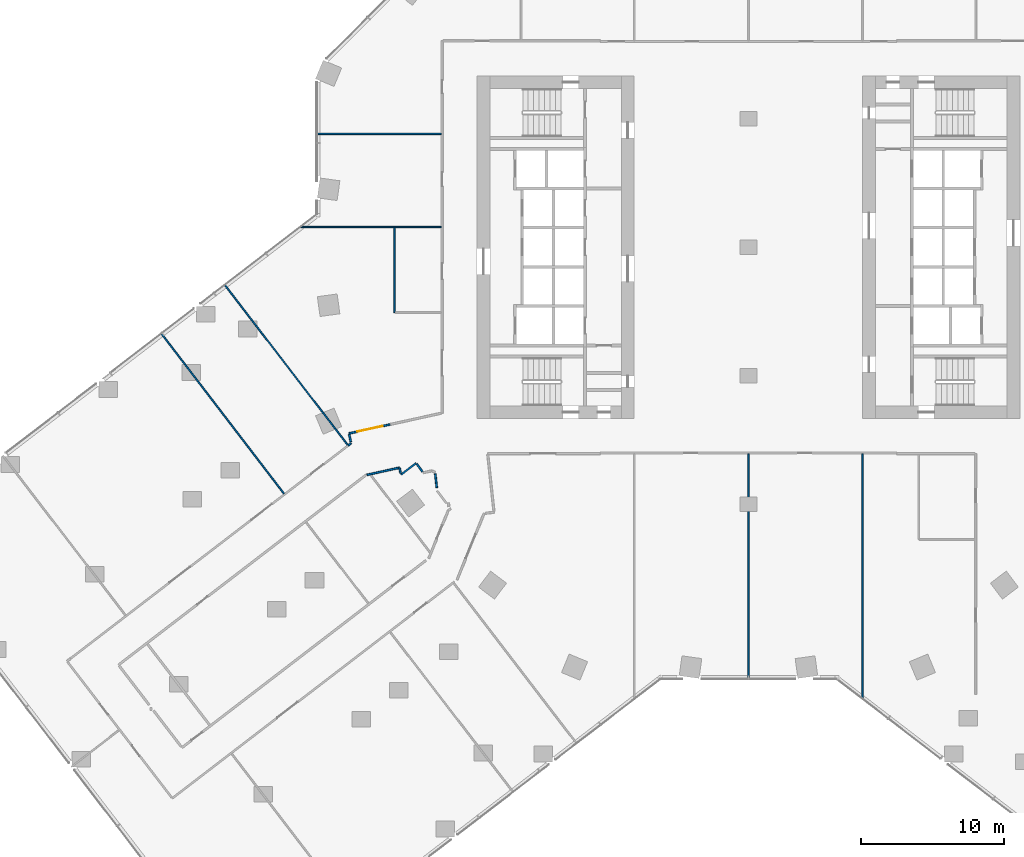
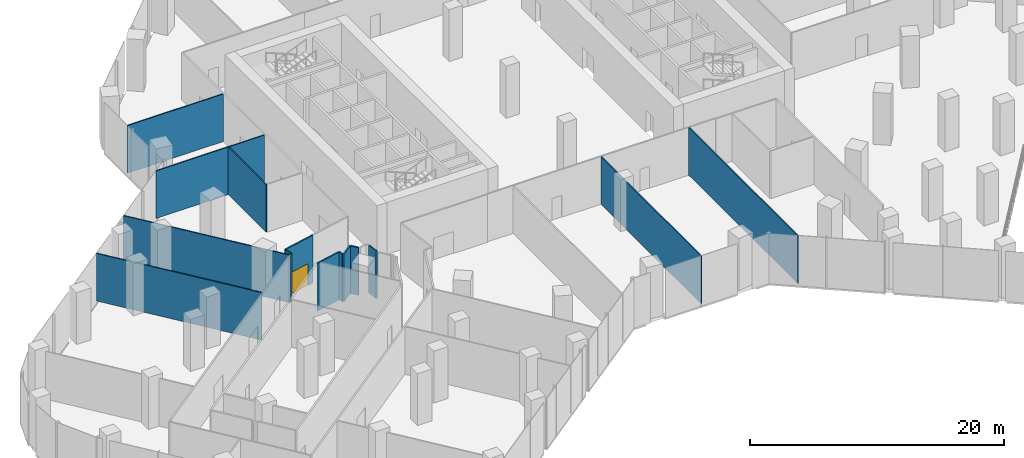
# One storey, part 22 of 29: 15 walls, 1 door, 1 opening.
"""IFC4 building model written with IfcOpenShell, lengths in metres."""

from ifc_helpers import new_model, si_unit, direction, frame, frame_2d, origin, place, context, subcontext, project, spatial, rectangle, extrude, material, layer, layer_set, type_object, element, fill, save


model = new_model("IFC4")

# Units and contexts
model_context = context("Model", 3, precision=1e-05, world=origin(), true_north=direction((0.0, 1.0)))
body_context = subcontext(model_context, "Body", "Model", "MODEL_VIEW")
ifc_project = project(units=[si_unit("LENGTHUNIT", "METRE"), si_unit("AREAUNIT", "SQUARE_METRE"), si_unit("VOLUMEUNIT", "CUBIC_METRE"), si_unit("PLANEANGLEUNIT", "RADIAN"), si_unit("MASSUNIT", "GRAM", prefix="KILO")], contexts=[model_context])

# Site, building, storey
site_placement = place(None, origin())
site = spatial("IfcSite", under=ifc_project, at=site_placement, CompositionType="ELEMENT")
building_placement = place(site_placement, origin())
building = spatial("IfcBuilding", under=site, at=building_placement, Name="Orlundy Tower", CompositionType="ELEMENT")
storey_placement = place(building_placement, frame((0.0, 0.0, 15.5)))
storey = spatial("IfcBuildingStorey", under=building, at=storey_placement, Name="L02", CompositionType="ELEMENT", Elevation=15.5)

# Walls
ifc_material_1 = material(Name="Gypsum board partition")
ifc_layer_1 = layer(ifc_material_1, 0.10009765625)
ifc_layer_set_1 = layer_set([ifc_layer_1], Name="Floor partition 100")
wall_type_1 = type_object("IfcWallType", Name="Floor partition 100", PredefinedType="PARTITIONING", material=ifc_layer_set_1)
wall_1_placement = place(storey_placement, frame((-41.1259765625, -6.032958984375, 0.0), z_axis=(0.0, 0.0, 1.0), x_axis=(0.608775561638, -0.793342495743, 0.0)))
element("IfcWall", 1, at=wall_1_placement, inside=storey, type_object=wall_type_1, Name="wall-int-L02-014", PredefinedType="PARTITIONING", context=body_context, shape_type="SweptSolid", body=[
    extrude(rectangle(XDim=14.136474609375, YDim=0.10009765625, at=frame_2d((7.068359375, 0.0))), origin(), (0.0, 0.0, 1.0), 4.580078125),
])
wall_2_placement = place(storey_placement, frame((-36.677978515625, -2.6201171875, 0.0), z_axis=(0.0, 0.0, 1.0), x_axis=(0.608783902678, -0.793336095132, 0.0)))
element("IfcWall", 2, at=wall_2_placement, inside=storey, type_object=wall_type_1, Name="wall-int-L02-017", PredefinedType="PARTITIONING", context=body_context, shape_type="SweptSolid", body=[
    extrude(rectangle(XDim=14.13623046875, YDim=0.10009765625, at=frame_2d((7.068115234375, 0.0))), origin(), (0.0, 0.0, 1.0), 4.580078125),
])
wall_3_placement = place(storey_placement, frame((-31.4140625, 1.419921875, 0.0), z_axis=(0.0, 0.0, 1.0), x_axis=(1.0, 0.0, 0.0)))
element("IfcWall", 3, at=wall_3_placement, inside=storey, type_object=wall_type_1, Name="wall-int-L02-028", PredefinedType="PARTITIONING", context=body_context, shape_type="SweptSolid", body=[
    extrude(rectangle(XDim=9.902099609375, YDim=0.10009765625, at=frame_2d((4.951171875, 0.0))), origin(), (0.0, 0.0, 1.0), 4.580078125),
])
wall_4_placement = place(storey_placement, frame((-30.25, 7.93408203125, 0.0), z_axis=(0.0, 0.0, 1.0), x_axis=(1.0, 0.0, 0.0)))
element("IfcWall", 4, at=wall_4_placement, inside=storey, type_object=wall_type_1, Name="wall-int-L02-030", PredefinedType="PARTITIONING", context=body_context, shape_type="SweptSolid", body=[
    extrude(rectangle(XDim=8.738037109375, YDim=0.10009765625, at=frame_2d((4.369140625, 0.0))), origin(), (0.0, 0.0, 1.0), 4.580078125),
])
wall_5_placement = place(storey_placement, frame((8.0, -31.6630859375, 0.0), z_axis=(0.0, 0.0, 1.0), x_axis=(0.0, 1.0, 0.0)))
element("IfcWall", 5, at=wall_5_placement, inside=storey, type_object=wall_type_1, Name="wall-int-L02-054", PredefinedType="PARTITIONING", context=body_context, shape_type="SweptSolid", body=[
    extrude(rectangle(XDim=17.2001953125, YDim=0.10009765625, at=frame_2d((8.60009765625, 0.0))), origin(), (0.0, 0.0, 1.0), 4.580078125),
])
wall_6_placement = place(storey_placement, frame((0.0, -30.25, 0.0), z_axis=(0.0, 0.0, 1.0), x_axis=(0.0, 1.0, 0.0)))
element("IfcWall", 6, at=wall_6_placement, inside=storey, type_object=wall_type_1, Name="wall-int-L02-056", PredefinedType="PARTITIONING", context=body_context, shape_type="SweptSolid", body=[
    extrude(rectangle(XDim=15.787109375, YDim=0.10009765625, at=frame_2d((7.8935546875, 0.0))), origin(), (0.0, 0.0, 1.0), 4.580078125),
])
wall_7_placement = place(storey_placement, frame((-24.781982421875, -4.5791015625, 0.0), z_axis=(0.0, 0.0, 1.0), x_axis=(0.0, 1.0, 0.0)))
element("IfcWall", 7, at=wall_7_placement, inside=storey, type_object=wall_type_1, Name="wall-int-L02-062", PredefinedType="PARTITIONING", context=body_context, shape_type="SweptSolid", body=[
    extrude(rectangle(XDim=5.94921875, YDim=0.10009765625, at=frame_2d((2.974609375, 0.0))), origin(), (0.0, 0.0, 1.0), 4.580078125),
])
ifc_material_2 = material(Name="Gypsum board partition, double layer")
ifc_layer_2 = layer(ifc_material_2, 0.125)
ifc_layer_set_2 = layer_set([ifc_layer_2], Name="Floor partition 125")
wall_type_2 = type_object("IfcWallType", Name="Floor partition 125", PredefinedType="PARTITIONING", material=ifc_layer_set_2)
wall_8_placement = place(storey_placement, frame((-21.930908203125, -15.864013671875, 0.0), z_axis=(0.0, 0.0, 1.0), x_axis=(0.10837572028, -0.99411000561, 0.0)))
element("IfcWall", 8, at=wall_8_placement, inside=storey, type_object=wall_type_2, Name="wall-int-L02-002", PredefinedType="PARTITIONING", context=body_context, shape_type="SweptSolid", body=[
    extrude(rectangle(XDim=0.977783203125, YDim=0.125, at=frame_2d((0.48876953125, 0.0))), origin(), (0.0, 0.0, 1.0), 4.580078125),
])
wall_9_placement = place(storey_placement, frame((-24.43798828125, -15.43701171875, 0.0), z_axis=(0.0, 0.0, 1.0), x_axis=(0.212096867325, -0.977248647413, 0.0)))
element("IfcWall", 9, at=wall_9_placement, inside=storey, type_object=wall_type_2, Name="wall-int-L02-004", PredefinedType="PARTITIONING", context=body_context, shape_type="SweptSolid", body=[
    extrude(rectangle(XDim=0.39599609375, YDim=0.125, at=frame_2d((0.197998046875, 0.0))), origin(), (0.0, 0.0, 1.0), 4.580078125),
])
wall_10_placement = place(storey_placement, frame((-27.958984375, -13.10009765625, 0.0), z_axis=(0.0, 0.0, 1.0), x_axis=(0.215346078447, -0.976537795734, 0.0)))
element("IfcWall", 10, at=wall_10_placement, inside=storey, type_object=wall_type_2, Name="wall-int-L02-005", PredefinedType="PARTITIONING", context=body_context, shape_type="SweptSolid", body=[
    extrude(rectangle(XDim=0.53857421875, YDim=0.125, at=frame_2d((0.269287109375, 0.0))), origin(), (0.0, 0.0, 1.0), 4.580078125),
])
wall_11_placement = place(storey_placement, frame((-23.23388671875, -15.16796875, 0.0), z_axis=(0.0, 0.0, 1.0), x_axis=(0.602990949897, -0.797748026849, 0.0)))
element("IfcWall", 11, at=wall_11_placement, inside=storey, type_object=wall_type_2, Name="wall-int-L02-006", PredefinedType="PARTITIONING", context=body_context, shape_type="SweptSolid", body=[
    extrude(rectangle(XDim=0.67822265625, YDim=0.125, at=frame_2d((0.339111328125, 0.0))), origin(), (0.0, 0.0, 1.0), 4.580078125),
])
wall_12_placement = place(storey_placement, frame((-26.7119140625, -15.93603515625, 0.0), z_axis=(0.0, 0.0, 1.0), x_axis=(0.976756126143, 0.214353609817, 0.0)))
element("IfcWall", 12, at=wall_12_placement, inside=storey, type_object=wall_type_2, Name="wall-int-L02-035", PredefinedType="PARTITIONING", context=body_context, shape_type="SweptSolid", body=[
    extrude(rectangle(XDim=2.328125, YDim=0.125, at=frame_2d((1.1640625, 0.0))), origin(), (0.0, 0.0, 1.0), 4.580078125),
])

# Wall, opening, door
wall_13_placement = place(storey_placement, frame((-27.971923828125, -13.0380859375, 0.0), z_axis=(0.0, 0.0, 1.0), x_axis=(0.976718013582, 0.214527205604, 0.0)))
wall_13 = element("IfcWall", 13, at=wall_13_placement, inside=storey, type_object=wall_type_2, Name="wall-int-L02-038", PredefinedType="PARTITIONING", context=body_context, shape_type="SweptSolid", body=[
    extrude(rectangle(XDim=2.937255859375, YDim=0.125, at=frame_2d((1.46875, 0.0))), origin(), (0.0, 0.0, 1.0), 4.580078125),
])
opening_placement = place(wall_13_placement, frame((0.60009765625, 0.0, 0.0)))
opening = element("IfcOpeningElement", 14, at=opening_placement, cuts=wall_13, Name="Opening 03110", PredefinedType="OPENING", context=body_context, shape_type="SweptSolid", body=[
    extrude(rectangle(XDim=1.800048828125, YDim=2.10009765625, at=frame_2d((0.89990234375, 1.050048828125))), frame((0.0, 0.072509765625, 0.0), z_axis=(0.0, -1.0, 0.0), x_axis=(1.0, 0.0, 0.0)), (0.0, 0.0, 1.0), 0.14501953125),
])
ifc_material_3 = material(Name="Timber door leaf", Category="wood")
door_type = type_object("IfcDoorType", Name="Floor door double 1800 FD30S", OperationType="NOTDEFINED", PredefinedType="DOOR", material=ifc_material_3)
door_placement = place(opening_placement, origin())
door = element("IfcDoor", 15, at=door_placement, inside=storey, type_object=door_type, Name="Door 03110", OperationType="DOUBLE_DOOR_SINGLE_SWING", OverallHeight=2.10009765625, OverallWidth=1.800048828125, PredefinedType="DOOR", context=body_context, shape_type="SweptSolid", body=[
    extrude(rectangle(XDim=1.800048828125, YDim=2.10009765625, at=frame_2d((0.89990234375, 1.050048828125))), frame((0.0, 0.02490234375, 0.0), z_axis=(0.0, -1.0, 0.0), x_axis=(1.0, 0.0, 0.0)), (0.0, 0.0, 1.0), 0.050048828125),
])
fill(opening, door)

# Walls
wall_14_placement = place(storey_placement, frame((-24.33203125, -15.919921875, 0.0), z_axis=(0.0, 0.0, 1.0), x_axis=(0.797480426333, 0.603344818172, 0.0)))
element("IfcWall", 16, at=wall_14_placement, inside=storey, type_object=wall_type_2, Name="wall-int-L02-039", PredefinedType="PARTITIONING", context=body_context, shape_type="SweptSolid", body=[
    extrude(rectangle(XDim=1.329345703125, YDim=0.125, at=frame_2d((0.66455078125, 0.0))), origin(), (0.0, 0.0, 1.0), 4.580078125),
])
wall_15_placement = place(storey_placement, frame((-28.033935546875, -13.885009765625, 0.0), z_axis=(0.0, 0.0, 1.0), x_axis=(0.792488206653, 0.609887237378, 0.0)))
element("IfcWall", 17, at=wall_15_placement, inside=storey, type_object=wall_type_2, Name="wall-int-L02-046", PredefinedType="PARTITIONING", context=body_context, shape_type="SweptSolid", body=[
    extrude(rectangle(XDim=0.267333984375, YDim=0.125, at=frame_2d((0.1337890625, 0.0))), origin(), (0.0, 0.0, 1.0), 4.580078125),
])

save(model, "model.ifc")
